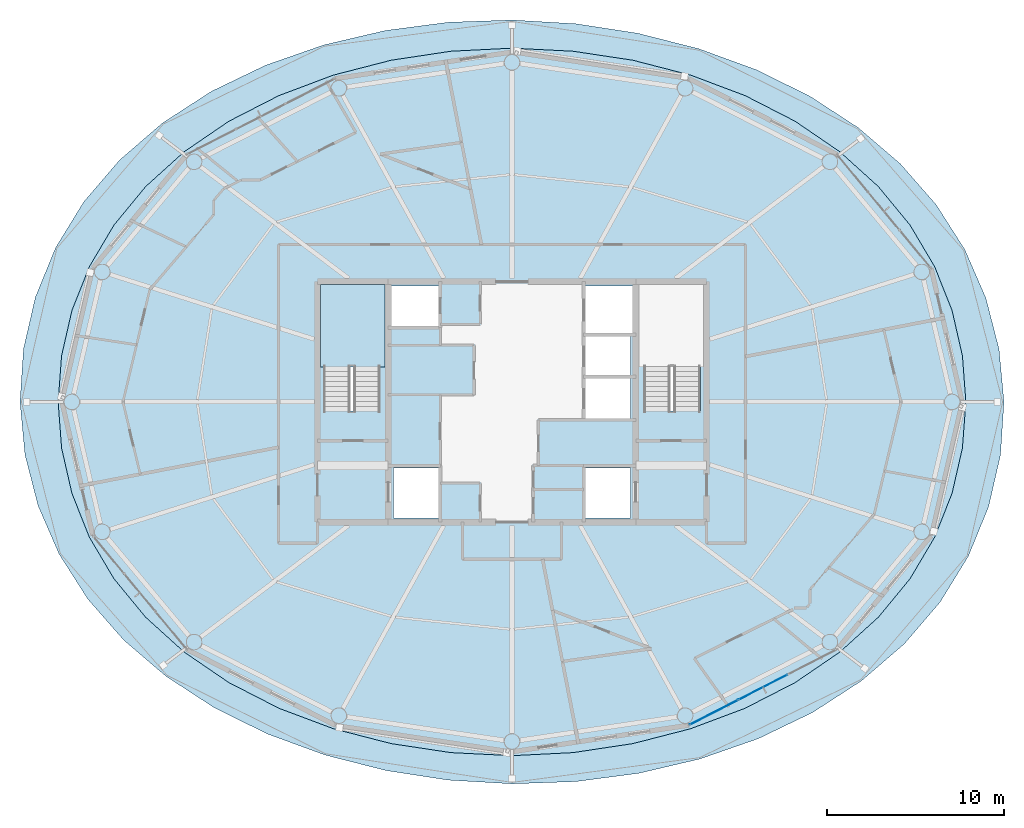
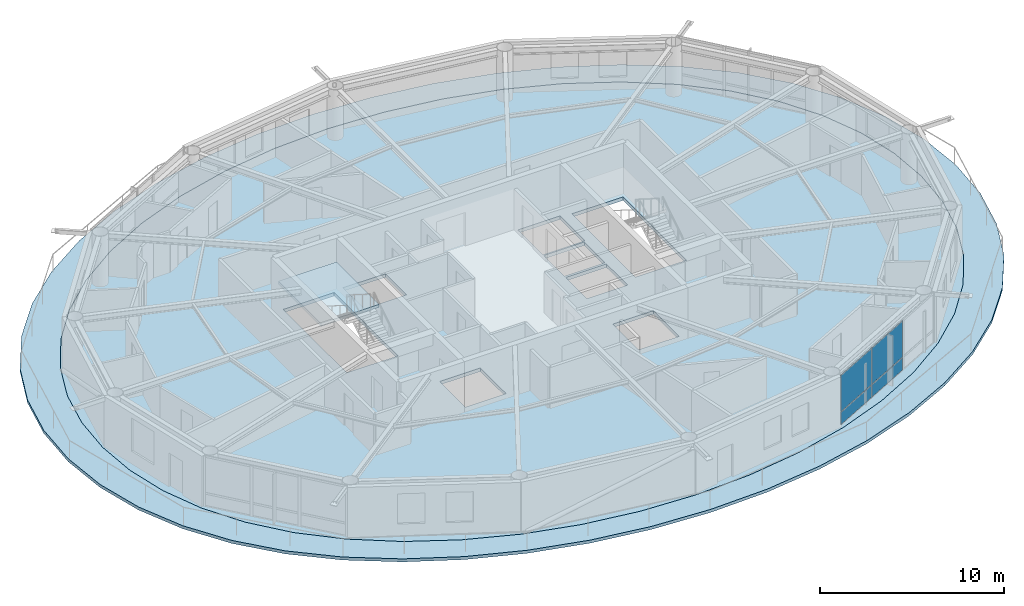
# One storey, part 13 of 21: 4 plates, 3 slabs, 2 elements without a shape of their own.
"""IFC4 building model written with IfcOpenShell, lengths in metres."""

from ifc_helpers import new_model, si_unit, direction, frame, origin, origin_2d, place, context, subcontext, project, spatial, polyline, rectangle, outline, extrude, material, layer, layer_set, type_object, element, aggregate, save


model = new_model("IFC4")

# Units and contexts
model_context = context("Model", 3, precision=1e-05, world=origin(), true_north=direction((0.0, 1.0)))
body_context = subcontext(model_context, "Body", "Model", "MODEL_VIEW")
ifc_project = project(units=[si_unit("LENGTHUNIT", "METRE"), si_unit("AREAUNIT", "SQUARE_METRE"), si_unit("VOLUMEUNIT", "CUBIC_METRE"), si_unit("PLANEANGLEUNIT", "RADIAN"), si_unit("MASSUNIT", "GRAM", prefix="KILO")], contexts=[model_context])

# Site, building, storey
site_placement = place(None, origin())
site = spatial("IfcSite", under=ifc_project, at=site_placement, CompositionType="ELEMENT")
building_placement = place(site_placement, origin())
building = spatial("IfcBuilding", under=site, at=building_placement, Name="Sarneth Arch Tower", CompositionType="ELEMENT")
storey_placement = place(building_placement, frame((0.0, 0.0, 309.0)))
storey = spatial("IfcBuildingStorey", under=building, at=storey_placement, Name="L80", CompositionType="ELEMENT", Elevation=309.0)

# Curtain wall, plates
ifc_material_1 = material(Name="Anodised aluminium Type AA25 and solar-control low-e laminated IGU", Category="aluminium")
ifc_layer_1 = layer(ifc_material_1, 0.179931640625)
ifc_layer_set_1 = layer_set([ifc_layer_1], Name="Anodised aluminium Type AA25 and solar-control low-e laminated IGU")
curtain_wall_type = type_object("IfcCurtainWallType", Name="CW-RES-HIGH", PredefinedType="NOTDEFINED", material=ifc_layer_set_1)
curtain_wall_placement = place(storey_placement, origin())
curtain_wall = element("IfcCurtainWall", 1, at=curtain_wall_placement, inside=storey, type_object=curtain_wall_type, Name="L80 Unitised curtain wall facet 14", PredefinedType="NOTDEFINED")
ifc_material_2 = material(Name="Solar-control low-e laminated IGU", Category="glass")
ifc_layer_2 = layer(ifc_material_2, 0.028076171875)
ifc_layer_set_2 = layer_set([ifc_layer_2], Name="Solar-control low-e laminated IGU")
plate_type = type_object("IfcPlateType", Name="CW-PANEL", PredefinedType="CURTAIN_PANEL", material=ifc_layer_set_2)
plate_1_placement = place(storey_placement, frame((59.4208984375, 24.447021484375, 0.06005859375), z_axis=(0.0, 0.0, 1.0), x_axis=(0.890009540525, 0.455941901753, 0.0)))
plate_1 = element("IfcPlate", 2, at=plate_1_placement, type_object=plate_type, Name="Curtain wall glazed vision pane CW-L80-F14/P00-00", PredefinedType="CURTAIN_PANEL", context=body_context, shape_type="SweptSolid", body=[
    extrude(rectangle(XDim=3.044677734375, YDim=0.028076171875, at=origin_2d()), origin(), (0.0, 0.0, 1.0), 0.81005859375),
])
plate_2_placement = place(storey_placement, frame((59.4208984375, 24.447021484375, 0.93017578125), z_axis=(0.0, 0.0, 1.0), x_axis=(0.890009540525, 0.455941901753, 0.0)))
plate_2 = element("IfcPlate", 3, at=plate_2_placement, type_object=plate_type, Name="Curtain wall glazed vision pane CW-L80-F14/P00-01", PredefinedType="CURTAIN_PANEL", context=body_context, shape_type="SweptSolid", body=[
    extrude(rectangle(XDim=3.044677734375, YDim=0.028076171875, at=origin_2d()), origin(), (0.0, 0.0, 1.0), 2.3798828125),
])
plate_3_placement = place(storey_placement, frame((62.197509765625, 25.86962890625, 0.06005859375), z_axis=(0.0, 0.0, 1.0), x_axis=(0.890009540525, 0.455941901753, 0.0)))
plate_3 = element("IfcPlate", 4, at=plate_3_placement, type_object=plate_type, Name="Curtain wall glazed vision pane CW-L80-F14/P01-00", PredefinedType="CURTAIN_PANEL", context=body_context, shape_type="SweptSolid", body=[
    extrude(rectangle(XDim=3.07470703125, YDim=0.028076171875, at=origin_2d()), origin(), (0.0, 0.0, 1.0), 0.81005859375),
])
plate_4_placement = place(storey_placement, frame((62.197509765625, 25.86962890625, 0.93017578125), z_axis=(0.0, 0.0, 1.0), x_axis=(0.890009540525, 0.455941901753, 0.0)))
plate_4 = element("IfcPlate", 5, at=plate_4_placement, type_object=plate_type, Name="Curtain wall glazed vision pane CW-L80-F14/P01-01", PredefinedType="CURTAIN_PANEL", context=body_context, shape_type="SweptSolid", body=[
    extrude(rectangle(XDim=3.07470703125, YDim=0.028076171875, at=origin_2d()), origin(), (0.0, 0.0, 1.0), 2.3798828125),
])
aggregate(curtain_wall, [plate_1, plate_2, plate_3, plate_4])

# Slab
ifc_material_3 = material(Name="Concrete C50/60", Category="concrete")
ifc_layer_3 = layer(ifc_material_3, 0.199951171875)
ifc_layer_set_3 = layer_set([ifc_layer_3], Name="Concrete C50/60")
slab_type_1 = type_object("IfcSlabType", Name="SLAB-BALC-200", PredefinedType="FLOOR", material=ifc_layer_set_3)
slab_1_placement = place(storey_placement, frame((0.0, 0.0, -0.199951171875)))
element("IfcSlab", 6, at=slab_1_placement, inside=storey, type_object=slab_type_1, Name="L80 Helical balcony band slab", PredefinedType="FLOOR", context=body_context, shape_type="SweptSolid", body=[
    extrude(outline(polyline([(75.817138671875, 42.0), (75.5380859375, 44.980712890625), (74.79443359375, 47.870849609375), (73.603515625, 50.6083984375), (71.985595703125, 53.14794921875), (69.96337890625, 55.45654296875), (67.56640625, 57.5107421875), (64.833984375, 59.290771484375), (61.814453125, 60.781005859375), (58.56396484375, 61.967041015625), (55.140380859375, 62.837646484375), (51.600830078125, 63.38232421875), (48.0, 63.593505859375), (44.390869140625, 63.466064453125), (40.827392578125, 62.996826171875), (37.367431640625, 62.1865234375), (34.07275390625, 61.038818359375), (31.0087890625, 59.5625), (28.23828125, 57.770263671875), (25.8173828125, 55.68115234375), (23.7919921875, 53.3203125), (22.19580078125, 50.720458984375), (21.052734375, 47.92626953125), (20.379150390625, 44.995361328125), (20.182861328125, 42.0), (20.4619140625, 39.019287109375), (21.20556640625, 36.129150390625), (22.396484375, 33.3916015625), (24.014404296875, 30.85205078125), (26.03662109375, 28.54345703125), (28.43359375, 26.4892578125), (31.166015625, 24.709228515625), (34.185546875, 23.218994140625), (37.43603515625, 22.032958984375), (40.859619140625, 21.162353515625), (44.399169921875, 20.61767578125), (48.0, 20.406494140625), (51.609130859375, 20.533935546875), (55.172607421875, 21.003173828125), (58.632568359375, 21.8134765625), (61.92724609375, 22.961181640625), (64.9912109375, 24.4375), (67.76171875, 26.229736328125), (70.1826171875, 28.31884765625), (72.2080078125, 30.6796875), (73.80419921875, 33.279541015625), (74.947265625, 36.07373046875), (75.620849609375, 39.004638671875), (75.817138671875, 42.0)]), holes=[polyline([(73.660888671875, 42.0), (73.466064453125, 44.610595703125), (72.87890625, 47.17626953125), (71.892822265625, 49.653564453125), (70.5029296875, 52.0), (68.712158203125, 54.17529296875), (66.536865234375, 56.14208984375), (64.009521484375, 57.8671875), (61.177001953125, 59.320556640625), (58.0966796875, 60.4775390625), (54.83203125, 61.318603515625), (51.44580078125, 61.828857421875), (48.0, 62.0), (44.55419921875, 61.828857421875), (41.16796875, 61.318603515625), (37.9033203125, 60.4775390625), (34.822998046875, 59.320556640625), (31.990478515625, 57.8671875), (29.463134765625, 56.14208984375), (27.287841796875, 54.17529296875), (25.4970703125, 52.0), (24.107177734375, 49.653564453125), (23.12109375, 47.17626953125), (22.533935546875, 44.610595703125), (22.339111328125, 42.0), (22.533935546875, 39.389404296875), (23.12109375, 36.82373046875), (24.107177734375, 34.346435546875), (25.4970703125, 32.0), (27.287841796875, 29.82470703125), (29.463134765625, 27.85791015625), (31.990478515625, 26.1328125), (34.822998046875, 24.679443359375), (37.9033203125, 23.5224609375), (41.16796875, 22.681396484375), (44.55419921875, 22.171142578125), (48.0, 22.0), (51.44580078125, 22.171142578125), (54.83203125, 22.681396484375), (58.0966796875, 23.5224609375), (61.177001953125, 24.679443359375), (64.009521484375, 26.1328125), (66.536865234375, 27.85791015625), (68.712158203125, 29.82470703125), (70.5029296875, 32.0), (71.892822265625, 34.346435546875), (72.87890625, 36.82373046875), (73.466064453125, 39.389404296875), (73.660888671875, 42.0)])]), origin(), (0.0, 0.0, 1.0), 0.199951171875),
])

# Stair, slab
ifc_material_4 = material(Name="Concrete C50/60", Category="concrete")
stair_type = type_object("IfcStairType", Name="STAIR-CORE-RC", PredefinedType="HALF_TURN_STAIR", material=ifc_material_4)
stair_placement = place(storey_placement, origin())
stair = element("IfcStair", 7, at=stair_placement, inside=storey, type_object=stair_type, Name="L80 Core Exit Stair 1", PredefinedType="HALF_TURN_STAIR")
ifc_material_5 = material(Name="Concrete C50/60", Category="concrete")
ifc_layer_4 = layer(ifc_material_5, 0.199951171875)
ifc_layer_set_4 = layer_set([ifc_layer_4], Name="Concrete C50/60")
slab_type_2 = type_object("IfcSlabType", Name="SLAB-LANDING-200", PredefinedType="LANDING", material=ifc_layer_set_4)
slab_2_placement = place(storey_placement, frame((0.0, 0.0, 1.60009765625)))
slab_2 = element("IfcSlab", 8, at=slab_2_placement, type_object=slab_type_2, Name="ST-1 landing 1", PredefinedType="LANDING", context=body_context, shape_type="SweptSolid", body=[
    extrude(outline(polyline([(37.175048828125, 43.985107421875), (40.824951171875, 43.985107421875), (40.824951171875, 48.625), (37.175048828125, 48.625), (37.175048828125, 43.985107421875)])), origin(), (0.0, 0.0, 1.0), 0.199951171875),
])
aggregate(stair, [slab_2])

# Slab
ifc_material_6 = material(Name="Concrete C50/60", Category="concrete")
ifc_layer_5 = layer(ifc_material_6, 0.22998046875)
ifc_layer_set_5 = layer_set([ifc_layer_5], Name="Concrete C50/60")
slab_type_3 = type_object("IfcSlabType", Name="SLAB-TOWER-230", PredefinedType="FLOOR", material=ifc_layer_set_5)
slab_3_placement = place(storey_placement, frame((0.0, 0.0, -0.22998046875)))
element("IfcSlab", 9, at=slab_3_placement, inside=storey, type_object=slab_type_3, Name="L80 Elliptical floor slab", PredefinedType="FLOOR", context=body_context, shape_type="SweptSolid", body=[
    extrude(outline(polyline([(73.660888671875, 42.0), (73.466064453125, 44.610595703125), (72.87890625, 47.17626953125), (71.892822265625, 49.653564453125), (70.5029296875, 52.0), (68.712158203125, 54.17529296875), (66.536865234375, 56.14208984375), (64.009521484375, 57.8671875), (61.177001953125, 59.320556640625), (58.0966796875, 60.4775390625), (54.83203125, 61.318603515625), (51.44580078125, 61.828857421875), (48.0, 62.0), (44.55419921875, 61.828857421875), (41.16796875, 61.318603515625), (37.9033203125, 60.4775390625), (34.822998046875, 59.320556640625), (31.990478515625, 57.8671875), (29.463134765625, 56.14208984375), (27.287841796875, 54.17529296875), (25.4970703125, 52.0), (24.107177734375, 49.653564453125), (23.12109375, 47.17626953125), (22.533935546875, 44.610595703125), (22.339111328125, 42.0), (22.533935546875, 39.389404296875), (23.12109375, 36.82373046875), (24.107177734375, 34.346435546875), (25.4970703125, 32.0), (27.287841796875, 29.82470703125), (29.463134765625, 27.85791015625), (31.990478515625, 26.1328125), (34.822998046875, 24.679443359375), (37.9033203125, 23.5224609375), (41.16796875, 22.681396484375), (44.55419921875, 22.171142578125), (48.0, 22.0), (51.44580078125, 22.171142578125), (54.83203125, 22.681396484375), (58.0966796875, 23.5224609375), (61.177001953125, 24.679443359375), (64.009521484375, 26.1328125), (66.536865234375, 27.85791015625), (68.712158203125, 29.82470703125), (70.5029296875, 32.0), (71.892822265625, 34.346435546875), (72.87890625, 36.82373046875), (73.466064453125, 39.389404296875), (73.660888671875, 42.0)]), holes=[polyline([(37.35009765625, 41.489990234375), (40.550048828125, 41.489990234375), (40.550048828125, 48.39990234375), (37.35009765625, 48.39990234375), (37.35009765625, 41.489990234375)]), polyline([(55.449951171875, 41.489990234375), (58.64990234375, 41.489990234375), (58.64990234375, 48.39990234375), (55.449951171875, 48.39990234375), (55.449951171875, 41.489990234375)]), polyline([(41.199951171875, 46.25), (43.85009765625, 46.25), (43.85009765625, 48.550048828125), (41.199951171875, 48.550048828125), (41.199951171875, 46.25)]), polyline([(41.300048828125, 35.449951171875), (43.85009765625, 35.449951171875), (43.85009765625, 38.25), (41.300048828125, 38.25), (41.300048828125, 35.449951171875)]), polyline([(52.14990234375, 35.449951171875), (54.699951171875, 35.449951171875), (54.699951171875, 38.25), (52.14990234375, 38.25), (52.14990234375, 35.449951171875)]), polyline([(52.14990234375, 45.85009765625), (54.800048828125, 45.85009765625), (54.800048828125, 48.550048828125), (52.14990234375, 48.550048828125), (52.14990234375, 45.85009765625)]), polyline([(52.14990234375, 41.050048828125), (54.699951171875, 41.050048828125), (54.699951171875, 43.35009765625), (52.14990234375, 43.35009765625), (52.14990234375, 41.050048828125)]), polyline([(52.14990234375, 43.5), (54.699951171875, 43.5), (54.699951171875, 45.75), (52.14990234375, 45.75), (52.14990234375, 43.5)])]), origin(), (0.0, 0.0, 1.0), 0.22998046875),
])

save(model, "model.ifc")
